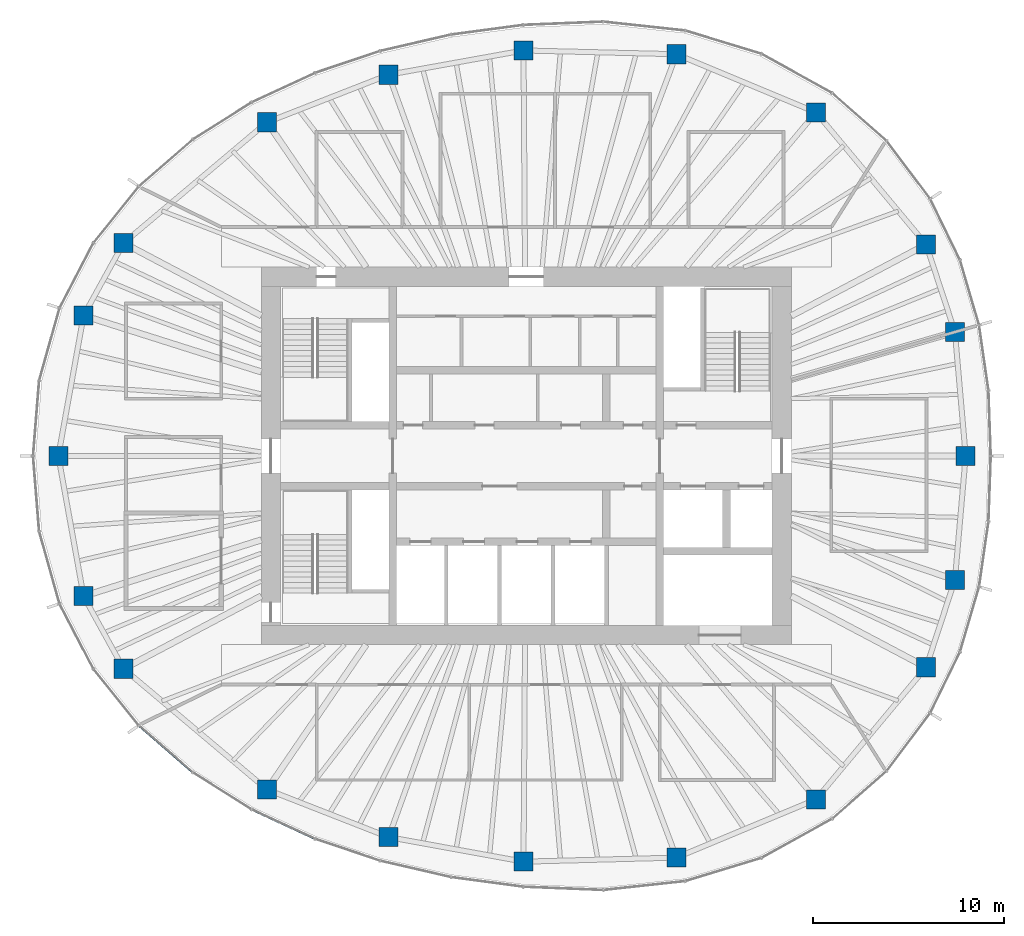
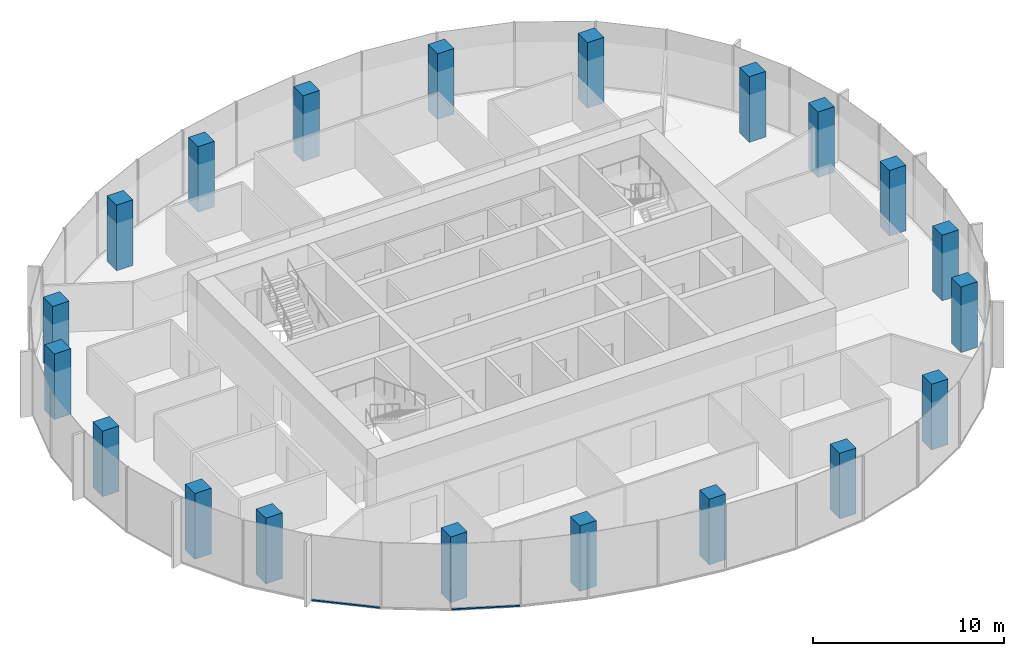
# One storey, part 1 of 11: 20 columns, 2 members, 2 elements without a shape of their own.
"""IFC4 building model written with IfcOpenShell, lengths in metres."""

from ifc_helpers import new_model, si_unit, direction, frame, origin, origin_2d, place, context, subcontext, project, spatial, rectangle, extrude, material, material_profile, profile_set, type_object, element, aggregate, save


model = new_model("IFC4")

# Units and contexts
model_context = context("Model", 3, precision=1e-05, world=origin(), true_north=direction((0.0, 1.0)))
body_context = subcontext(model_context, "Body", "Model", "MODEL_VIEW")
ifc_project = project(units=[si_unit("LENGTHUNIT", "METRE"), si_unit("AREAUNIT", "SQUARE_METRE"), si_unit("VOLUMEUNIT", "CUBIC_METRE"), si_unit("PLANEANGLEUNIT", "RADIAN"), si_unit("MASSUNIT", "GRAM", prefix="KILO")], contexts=[model_context])

# Site, building, storey
site_placement = place(None, origin())
site = spatial("IfcSite", under=ifc_project, at=site_placement, CompositionType="ELEMENT")
building_placement = place(site_placement, origin())
building = spatial("IfcBuilding", under=site, at=building_placement, Name="Ghaith Harvest Tower", CompositionType="ELEMENT")
storey_placement = place(building_placement, frame((0.0, 0.0, 309.0)))
storey = spatial("IfcBuildingStorey", under=building, at=storey_placement, Name="L69", CompositionType="ELEMENT", Elevation=309.0)

# Columns
ifc_material_1 = material(Name="Concrete C50/60", Category="concrete")
ifc_material_profile_1 = material_profile(ifc_material_1, rectangle(XDim=1.0, YDim=1.0, at=origin_2d()), Name="RC1000X1000")
ifc_profile_set_1 = profile_set([ifc_material_profile_1], Name="Concrete C50/60")
column_type = type_object("IfcColumnType", Name="TC8 RC1000X1000", PredefinedType="COLUMN", material=ifc_profile_set_1)
for number, where, z_axis, x_axis, name in (
    (1, (23.050048828125, 0.0, 0.0), (0.0, 0.0, 1.0), (1.0, 0.0, 0.0), "Perimeter column C01"),
    (2, (22.485107421875, 6.4990234375, 0.0), (0.0, 0.0, 1.0), (1.0, 0.0, 0.0), "Perimeter column C02"),
    (3, (20.97705078125, 11.087890625, 0.0), (0.0, 0.0, 1.0), (1.0, 0.0, 0.0), "Perimeter column C03"),
    (4, (15.197998046875, 18.02294921875, 0.0), (0.0, 0.0, 1.0), (1.0, 0.0, 0.0), "Perimeter column C04"),
    (5, (7.8779296875, 21.072021484375, 0.0), (0.0, 0.0, 1.0), (1.0, 0.0, 0.0), "Perimeter column C05"),
    (6, (-0.14599609375, 21.27099609375, 0.0), (0.0, 0.0, 1.0), (1.0, 0.0, 0.0), "Perimeter column C06"),
    (7, (-7.221923828125, 19.9970703125, 0.0), (0.0, 0.0, 1.0), (1.0, 0.0, 0.0), "Perimeter column C07"),
    (8, (-13.594970703125, 17.5048828125, 0.0), (0.0, 0.0, 1.0), (1.0, 0.0, 0.0), "Perimeter column C08"),
    (9, (-21.125, 11.166015625, 0.0), (0.0, 0.0, 1.0), (1.0, 0.0, 0.0), "Perimeter column C09"),
    (10, (-23.22412109375, 7.360107421875, 0.0), (0.0, 0.0, 1.0), (1.0, 0.0, 0.0), "Perimeter column C10"),
    (11, (-24.550048828125, 0.0, 0.0), (0.0, 0.0, 1.0), (1.0, 0.0, 0.0), "Perimeter column C11"),
    (12, (-23.22412109375, -7.360107421875, 0.0), (0.0, 0.0, 1.0), (1.0, 0.0, 0.0), "Perimeter column C12"),
    (13, (-21.125, -11.166015625, 0.0), (0.0, 0.0, 1.0), (1.0, 0.0, 0.0), "Perimeter column C13"),
    (14, (-13.594970703125, -17.5048828125, 0.0), (0.0, 0.0, 1.0), (1.0, 0.0, 0.0), "Perimeter column C14"),
    (15, (-7.221923828125, -19.9970703125, 0.0), (0.0, 0.0, 1.0), (1.0, 0.0, 0.0), "Perimeter column C15"),
    (16, (-0.14599609375, -21.285888671875, 0.0), (0.0, 0.0, 1.0), (1.0, 0.0, 0.0), "Perimeter column C16"),
    (17, (7.8779296875, -21.072021484375, 0.0), (0.0, 0.0, 1.0), (1.0, 0.0, 0.0), "Perimeter column C17"),
    (18, (15.197998046875, -18.02294921875, 0.0), (0.0, 0.0, 1.0), (1.0, 0.0, 0.0), "Perimeter column C18"),
    (19, (20.97705078125, -11.087890625, 0.0), (0.0, 0.0, 1.0), (1.0, 0.0, 0.0), "Perimeter column C19"),
    (20, (22.485107421875, -6.4990234375, 0.0), (0.0, 0.0, 1.0), (1.0, 0.0, 0.0), "Perimeter column C20"),
):
    element("IfcColumn", number, at=place(storey_placement, frame(where, z_axis=z_axis, x_axis=x_axis)), inside=storey, type_object=column_type, Name=name, PredefinedType="COLUMN", context=body_context, shape_type="SweptSolid", body=[
        extrude(rectangle(XDim=1.0, YDim=1.0, at=origin_2d()), origin(), (0.0, 0.0, 1.0), 4.199951171875),
    ])

# Curtain wall, member
ifc_material_2 = material(Name="Black anodised aluminium and fritted glass", Category="aluminium")
curtain_wall_type = type_object("IfcCurtainWallType", Name="CW-T CURTAIN WALL", PredefinedType="NOTDEFINED", material=ifc_material_2)
curtain_wall_1_placement = place(storey_placement, origin())
curtain_wall_1 = element("IfcCurtainWall", 21, at=curtain_wall_1_placement, inside=storey, type_object=curtain_wall_type, Name="Curtain wall CW-T bay 13 L69", PredefinedType="NOTDEFINED")
ifc_material_3 = material(Name="Aluminium, black anodised", Category="aluminium")
ifc_material_profile_2 = material_profile(ifc_material_3, rectangle(XDim=0.1201171875, YDim=0.080078125, at=origin_2d()), Name="CW-T TRANSOM 120x80")
ifc_profile_set_2 = profile_set([ifc_material_profile_2], Name="Aluminium, black anodised")
member_type = type_object("IfcMemberType", Name="CW-T TRANSOM 120x80", PredefinedType="USERDEFINED", material=ifc_profile_set_2)
member_1_placement = place(storey_placement, frame((-20.294189453125, -14.168212890625, 0.0400390625), z_axis=(0.754851889287, -0.65589528527, 0.0), x_axis=(0.65589528527, 0.754851889287, 0.0)))
member_1 = element("IfcMember", 22, at=member_1_placement, type_object=member_type, Name="CW-T transom 1 bay 13 L69", ObjectType="TRANSOM", PredefinedType="USERDEFINED", context=body_context, shape_type="SweptSolid", body=[
    extrude(rectangle(XDim=0.1201171875, YDim=0.080078125, at=origin_2d()), origin(), (0.0, 0.0, 1.0), 3.668701171875),
])
aggregate(curtain_wall_1, [member_1])

curtain_wall_2_placement = place(storey_placement, origin())
curtain_wall_2 = element("IfcCurtainWall", 23, at=curtain_wall_2_placement, inside=storey, type_object=curtain_wall_type, Name="Curtain wall CW-T bay 14 L69", PredefinedType="NOTDEFINED")
member_2_placement = place(storey_placement, frame((-14.36865234375, -18.564697265625, 0.0400390625), z_axis=(0.907472177056, -0.420112184862, 0.0), x_axis=(0.420112184862, 0.907472177056, 0.0)))
member_2 = element("IfcMember", 24, at=member_2_placement, type_object=member_type, Name="CW-T transom 1 bay 14 L69", ObjectType="TRANSOM", PredefinedType="USERDEFINED", context=body_context, shape_type="SweptSolid", body=[
    extrude(rectangle(XDim=0.1201171875, YDim=0.080078125, at=origin_2d()), origin(), (0.0, 0.0, 1.0), 3.597900390625),
])
aggregate(curtain_wall_2, [member_2])

save(model, "model.ifc")
